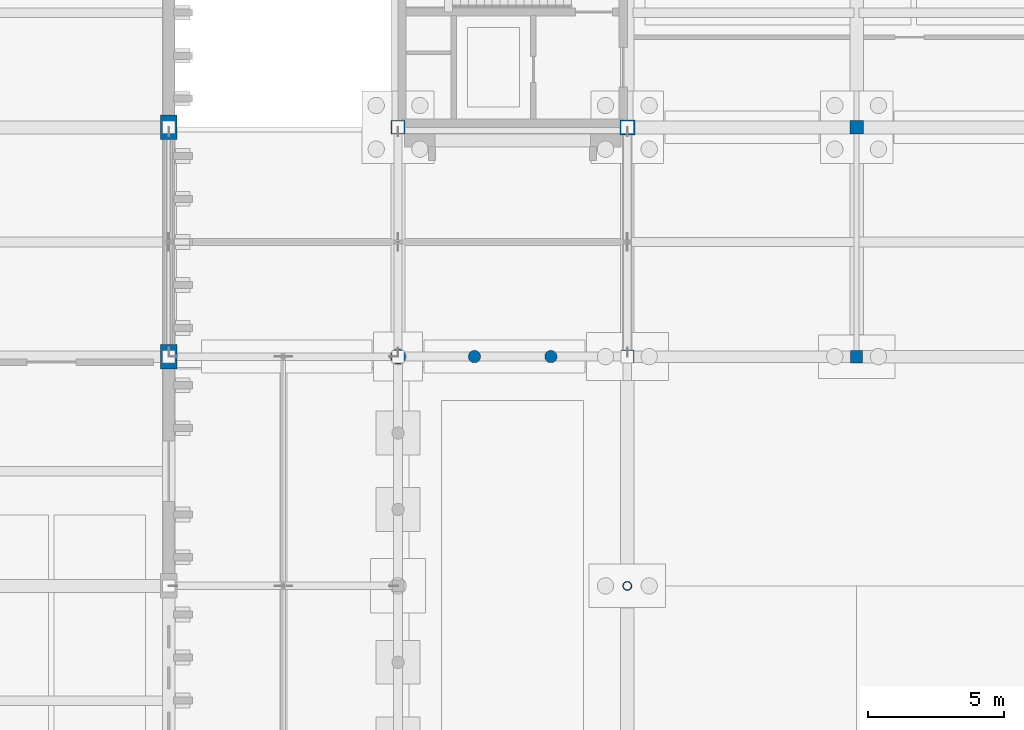
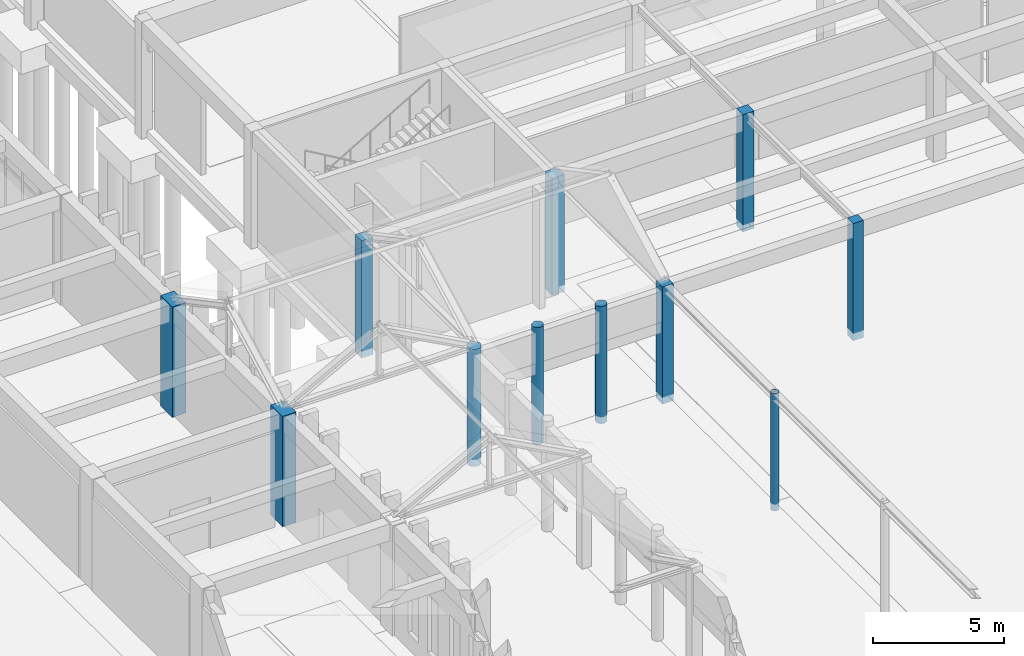
# One storey, part 16 of 143: 11 columns.
"""IFC4 building model written with IfcOpenShell, lengths in metres."""

import ifcopenshell
import ifcopenshell.guid

model = None  # the IFC model being written
_history = None  # IfcOwnerHistory: only IFC2X3 demands one
_inside = {}  # id of a spatial element -> (the spatial element, [elements in it])
_under = {}  # id of a project, library or spatial element -> (it, [spatial elements below it])
_declared = {}  # id of a project -> (the project, [libraries it declares])
_typed = {}  # id of a type object -> (the type object, [elements of that type])
_made_of = {}  # id of a material, layer set ... -> (it, [elements and type objects made of it])


def new_model(schema):
    """Start an empty IFC model of exactly this schema.

    Asked for "IFC4X3", IfcOpenShell would pick the latest addendum, in which some entities
    have other attributes; the version numbers below select the first issue.
    IFC2X3 requires an IfcOwnerHistory on every rooted entity: one is made here for all.
    """
    global model, _history
    if schema == "IFC4X3":
        model = ifcopenshell.file(schema_version=(4, 3, 0, 0))
    else:
        model = ifcopenshell.file(schema=schema)
    _inside.clear()
    _under.clear()
    _declared.clear()
    _typed.clear()
    _made_of.clear()
    _history = None
    if model.schema == "IFC2X3":
        org = make("IfcOrganization", Name="unknown")
        user = make(
            "IfcPersonAndOrganization",
            ThePerson=make("IfcPerson", FamilyName="unknown"),
            TheOrganization=org,
        )
        app = make(
            "IfcApplication",
            ApplicationDeveloper=org,
            Version="unknown",
            ApplicationFullName="unknown",
            ApplicationIdentifier="unknown",
        )
        _history = make(
            "IfcOwnerHistory",
            OwningUser=user,
            OwningApplication=app,
            ChangeAction="ADDED",
            CreationDate=0,
        )
    return model


def make(cls, **values):
    """One entity of the class cls with the attributes given. An attribute that is None is left unset."""
    return model.create_entity(
        cls, **{name: value for name, value in values.items() if value is not None}
    )


def rooted(cls, **values):
    """An entity with a GlobalId (a new one), such as an element, a storey or a relation."""
    return make(cls, GlobalId=ifcopenshell.guid.new(), OwnerHistory=_history, **values)


def si_unit(unit_type, name, prefix=None):
    """IfcSIUnit, for example si_unit("LENGTHUNIT", "METRE", prefix="MILLI")."""
    return make("IfcSIUnit", UnitType=unit_type, Prefix=prefix, Name=name)


def assignment(units):
    """IfcUnitAssignment: the units of a project."""
    return None if units is None else make("IfcUnitAssignment", Units=units)


def point(xyz):
    """IfcCartesianPoint."""
    return None if xyz is None else make("IfcCartesianPoint", Coordinates=xyz)


def direction(xyz):
    """IfcDirection."""
    return None if xyz is None else make("IfcDirection", DirectionRatios=xyz)


def frame(location, z_axis=None, x_axis=None):
    """IfcAxis2Placement3D, a coordinate frame: its origin and axes. An axis left out is left unset."""
    return make(
        "IfcAxis2Placement3D",
        Location=point(location),
        Axis=direction(z_axis),
        RefDirection=direction(x_axis),
    )


def frame_2d(location, x_axis=None):
    """IfcAxis2Placement2D, a coordinate frame in the plane: its origin and x axis."""
    return make(
        "IfcAxis2Placement2D", Location=point(location), RefDirection=direction(x_axis)
    )


def origin():
    """The frame at (0, 0, 0) with its axes left unset."""
    return frame((0.0, 0.0, 0.0))


def origin_2d():
    """The frame at (0, 0) in the plane with its x axis left unset."""
    return frame_2d((0.0, 0.0))


def place(relative_to, where):
    """IfcLocalPlacement: puts the frame where relative to a parent placement (None: the world)."""
    return make(
        "IfcLocalPlacement", PlacementRelTo=relative_to, RelativePlacement=where
    )


def context(
    kind, dimensions, precision=None, world=None, true_north=None, identifier=None
):
    """IfcGeometricRepresentationContext, for example the 3D "Model" context."""
    return make(
        "IfcGeometricRepresentationContext",
        ContextIdentifier=identifier,
        ContextType=kind,
        CoordinateSpaceDimension=dimensions,
        Precision=precision,
        WorldCoordinateSystem=world,
        TrueNorth=true_north,
    )


def subcontext(parent, identifier, kind, view, scale=None):
    """IfcGeometricRepresentationSubContext, for example "Body" below "Model"."""
    return make(
        "IfcGeometricRepresentationSubContext",
        ContextIdentifier=identifier,
        ContextType=kind,
        ParentContext=parent,
        TargetScale=scale,
        TargetView=view,
    )


def project(units=None, contexts=None):
    """IfcProject with its units and contexts."""
    return rooted(
        "IfcProject",
        Name="project",
        RepresentationContexts=contexts,
        UnitsInContext=assignment(units),
    )


def spatial(cls, under=None, at=None, **own):
    """A site, building, storey or space (cls), placed at a placement, below another one or the project."""
    s = rooted(cls, ObjectPlacement=at, **own)
    if under is not None:
        _under.setdefault(under.id(), (under, []))[1].append(s)
    return s


def profile(cls, at=None, kind="AREA", **sizes):
    """A parametric profile (cls). Its sizes go by their IFC names, for example OverallWidth=200.0."""
    return make(cls, ProfileType=kind, Position=at, **sizes)


def rectangle(**sizes):
    """IfcRectangleProfileDef."""
    return profile("IfcRectangleProfileDef", **sizes)


def circle(**sizes):
    """IfcCircleProfileDef."""
    return profile("IfcCircleProfileDef", **sizes)


def hollow_circle(**sizes):
    """IfcCircleHollowProfileDef."""
    return profile("IfcCircleHollowProfileDef", **sizes)


def extrude(swept, where, along, depth):
    """IfcExtrudedAreaSolid: the profile swept, set in the frame where, extruded along a direction by depth."""
    return make(
        "IfcExtrudedAreaSolid",
        SweptArea=swept,
        Position=where,
        ExtrudedDirection=direction(along),
        Depth=depth,
    )


def shape(context_of_items, identifier, shape_type, items):
    """IfcShapeRepresentation: the items that make up one representation, for example the "Body"."""
    return make(
        "IfcShapeRepresentation",
        ContextOfItems=context_of_items,
        RepresentationIdentifier=identifier,
        RepresentationType=shape_type,
        Items=items,
    )


def material(Name=None, Category=None):
    """IfcMaterial."""
    return make("IfcMaterial", Name=Name, Category=Category)


def material_profile(
    of_material, cross_section, Name=None, Category=None, Priority=None
):
    """IfcMaterialProfile: a cross section and its material."""
    return make(
        "IfcMaterialProfile",
        Name=Name,
        Material=of_material,
        Profile=cross_section,
        Priority=Priority,
        Category=Category,
    )


def profile_set(profiles, Name=None, composite=None):
    """IfcMaterialProfileSet."""
    return make(
        "IfcMaterialProfileSet",
        Name=Name,
        MaterialProfiles=profiles,
        CompositeProfile=composite,
    )


def made_of(thing, what):
    """Note that an element or type object is made of a material, layer set ...; save() writes the relation."""
    if what is not None:
        _made_of.setdefault(what.id(), (what, []))[1].append(thing)
    return thing


def type_object(cls, material=None, **own):
    """A type object (cls), such as IfcWallType, which elements share."""
    return made_of(rooted(cls, **own), material)


def element(
    cls,
    number,
    at=None,
    inside=None,
    cuts=None,
    type_object=None,
    material=None,
    context=None,
    identifier="Body",
    shape_type=None,
    held_by="IfcProductDefinitionShape",
    body=None,
    shapes=None,
    **own,
):
    """One element of the class cls, such as IfcWall. Its Tag is "e" and its number.

    at: its placement. inside: the storey or other place that contains it. cuts: it is an
    opening in that element (IfcRelVoidsElement). A single representation is given by context,
    identifier, shape_type and body (its items); several are given by shapes. held_by: the class
    of the entity that holds the representations. save() writes the other relations.
    """
    e = rooted(cls, Tag="e%d" % number, ObjectPlacement=at, **own)
    if body is not None:
        shapes = [shape(context, identifier, shape_type, body)]
    if shapes is not None:
        e.Representation = make(held_by, Representations=shapes)
    if inside is not None:
        _inside.setdefault(inside.id(), (inside, []))[1].append(e)
    if cuts is not None:
        rooted(
            "IfcRelVoidsElement", RelatingBuildingElement=cuts, RelatedOpeningElement=e
        )
    if type_object is not None:
        _typed.setdefault(type_object.id(), (type_object, []))[1].append(e)
    return made_of(e, material)


def aggregate(whole, parts):
    """IfcRelAggregates: a whole, such as a stair, and the parts it consists of."""
    return rooted("IfcRelAggregates", RelatingObject=whole, RelatedObjects=parts)


def save(model, path):
    """Write the relations noted so far, then the file.

    IfcRelAggregates (storeys below a building ...), IfcRelContainedInSpatialStructure (elements
    in a storey), IfcRelDefinesByType, IfcRelAssociatesMaterial and IfcRelDeclares: one each for
    every whole, place, type object, material and project.
    """
    for whole, parts in _under.values():
        aggregate(whole, parts)
    for where, things in _inside.values():
        rooted(
            "IfcRelContainedInSpatialStructure",
            RelatedElements=things,
            RelatingStructure=where,
        )
    for kind, things in _typed.values():
        rooted("IfcRelDefinesByType", RelatedObjects=things, RelatingType=kind)
    for what, things in _made_of.values():
        rooted("IfcRelAssociatesMaterial", RelatedObjects=things, RelatingMaterial=what)
    for by, libraries in _declared.values():
        rooted("IfcRelDeclares", RelatingContext=by, RelatedDefinitions=libraries)
    model.write(path)


model = new_model("IFC4")

# Units and contexts
model_context = context("Model", 3, precision=1e-05, world=origin(), true_north=direction((0.0, 1.0)))
body_context = subcontext(model_context, "Body", "Model", "MODEL_VIEW")
ifc_project = project(units=[si_unit("LENGTHUNIT", "METRE"), si_unit("AREAUNIT", "SQUARE_METRE"), si_unit("VOLUMEUNIT", "CUBIC_METRE"), si_unit("PLANEANGLEUNIT", "RADIAN"), si_unit("MASSUNIT", "GRAM", prefix="KILO")], contexts=[model_context])

# Site, building, storey
site_placement = place(None, origin())
site = spatial("IfcSite", under=ifc_project, at=site_placement, CompositionType="ELEMENT")
building_placement = place(site_placement, origin())
building = spatial("IfcBuilding", under=site, at=building_placement, Name="Kveldsbrygga Polytechnic", CompositionType="ELEMENT")
storey_placement = place(building_placement, origin())
storey = spatial("IfcBuildingStorey", under=building, at=storey_placement, Name="L00", CompositionType="ELEMENT", Elevation=0.0)

# Columns
ifc_material_1 = material(Name="Concrete C45/55", Category="concrete")
ifc_material_profile_1 = material_profile(ifc_material_1, circle(Radius=0.22509765625, at=origin_2d()), Name="RC D450")
ifc_profile_set_1 = profile_set([ifc_material_profile_1], Name="Concrete C45/55")
column_type_1 = type_object("IfcColumnType", Name="COL-ARC-D450", PredefinedType="COLUMN", material=ifc_profile_set_1)
for number, where, z_axis, x_axis, name in (
    (1, (44.800048828125, 75.60009765625, -0.320068359375), (0.0, 0.0, 1.0), (1.0, 0.0, 0.0), "Cloister Arcade Pier COL-ARC-043"),
    (2, (47.60009765625, 75.60009765625, -0.320068359375), (0.0, 0.0, 1.0), (1.0, 0.0, 0.0), "Cloister Arcade Pier COL-ARC-044"),
):
    element("IfcColumn", number, at=place(storey_placement, frame(where, z_axis=z_axis, x_axis=x_axis)), inside=storey, type_object=column_type_1, Name=name, PredefinedType="COLUMN", context=body_context, shape_type="SweptSolid", body=[
        extrude(circle(Radius=0.22509765625, at=origin_2d()), origin(), (0.0, 0.0, 1.0), 5.4599609375),
    ])
ifc_material_profile_2 = material_profile(ifc_material_1, circle(Radius=0.27490234375, at=origin_2d()), Name="RC D550")
ifc_profile_set_2 = profile_set([ifc_material_profile_2], Name="Concrete C45/55")
column_type_2 = type_object("IfcColumnType", Name="COL-ARC-D550", PredefinedType="COLUMN", material=ifc_profile_set_2)
column_1_placement = place(storey_placement, frame((42.0, 75.60009765625, -0.320068359375), z_axis=(0.0, 0.0, 1.0), x_axis=(1.0, 0.0, 0.0)))
element("IfcColumn", 3, at=column_1_placement, inside=storey, type_object=column_type_2, Name="Column COL-L00-05-09", PredefinedType="COLUMN", context=body_context, shape_type="SweptSolid", body=[
    extrude(circle(Radius=0.27490234375, at=origin_2d()), origin(), (0.0, 0.0, 1.0), 5.4599609375),
])
ifc_material_profile_3 = material_profile(ifc_material_1, rectangle(XDim=0.60009765625, YDim=0.89990234375, at=origin_2d()), Name="RC 600x900")
ifc_profile_set_3 = profile_set([ifc_material_profile_3], Name="Concrete C45/55")
column_type_3 = type_object("IfcColumnType", Name="COL-CRANE-900", PredefinedType="COLUMN", material=ifc_profile_set_3)
for number, where, z_axis, x_axis, name in (
    (4, (33.60009765625, 75.60009765625, 0.0), (0.0, 0.0, 1.0), (1.0, 0.0, 0.0), "Column COL-L00-04-09"),
    (5, (33.60009765625, 84.0, 0.0), (0.0, 0.0, 1.0), (1.0, 0.0, 0.0), "Column COL-L00-04-10"),
):
    element("IfcColumn", number, at=place(storey_placement, frame(where, z_axis=z_axis, x_axis=x_axis)), inside=storey, type_object=column_type_3, Name=name, PredefinedType="COLUMN", context=body_context, shape_type="SweptSolid", body=[
        extrude(rectangle(XDim=0.60009765625, YDim=0.89990234375, at=origin_2d()), origin(), (0.0, 0.0, 1.0), 5.139892578125),
    ])
ifc_material_profile_4 = material_profile(ifc_material_1, rectangle(XDim=0.449951171875, YDim=0.449951171875, at=origin_2d()), Name="RC 450x450")
ifc_profile_set_4 = profile_set([ifc_material_profile_4], Name="Concrete C45/55")
column_type_4 = type_object("IfcColumnType", Name="COL-RC-450", PredefinedType="COLUMN", material=ifc_profile_set_4)
column_2_placement = place(storey_placement, frame((58.800048828125, 75.60009765625, -0.320068359375), z_axis=(0.0, 0.0, 1.0), x_axis=(1.0, 0.0, 0.0)))
element("IfcColumn", 6, at=column_2_placement, inside=storey, type_object=column_type_4, Name="Column COL-L00-07-09", PredefinedType="COLUMN", context=body_context, shape_type="SweptSolid", body=[
    extrude(rectangle(XDim=0.449951171875, YDim=0.449951171875, at=origin_2d()), origin(), (0.0, 0.0, 1.0), 5.4599609375),
])
ifc_material_profile_5 = material_profile(ifc_material_1, rectangle(XDim=0.47998046875, YDim=0.47998046875, at=origin_2d()), Name="RC 480x480")
ifc_profile_set_5 = profile_set([ifc_material_profile_5], Name="Concrete C45/55")
column_type_5 = type_object("IfcColumnType", Name="COL-RC-480", PredefinedType="COLUMN", material=ifc_profile_set_5)
column_3_placement = place(storey_placement, frame((50.39990234375, 75.60009765625, -0.320068359375), z_axis=(0.0, 0.0, 1.0), x_axis=(1.0, 0.0, 0.0)))
element("IfcColumn", 7, at=column_3_placement, inside=storey, type_object=column_type_5, Name="Column COL-L00-06-09", PredefinedType="COLUMN", context=body_context, shape_type="SweptSolid", body=[
    extrude(rectangle(XDim=0.47998046875, YDim=0.47998046875, at=origin_2d()), origin(), (0.0, 0.0, 1.0), 5.4599609375),
])
ifc_material_profile_6 = material_profile(ifc_material_1, rectangle(XDim=0.5, YDim=0.5, at=origin_2d()), Name="RC 500x500")
ifc_profile_set_6 = profile_set([ifc_material_profile_6], Name="Concrete C45/55")
column_type_6 = type_object("IfcColumnType", Name="COL-RC-500", PredefinedType="COLUMN", material=ifc_profile_set_6)
for number, where, z_axis, x_axis, name in (
    (8, (42.0, 84.0, -0.320068359375), (0.0, 0.0, 1.0), (1.0, 0.0, 0.0), "Column COL-L00-05-10"),
    (9, (58.800048828125, 84.0, -0.320068359375), (0.0, 0.0, 1.0), (1.0, 0.0, 0.0), "Column COL-L00-07-10"),
):
    element("IfcColumn", number, at=place(storey_placement, frame(where, z_axis=z_axis, x_axis=x_axis)), inside=storey, type_object=column_type_6, Name=name, PredefinedType="COLUMN", context=body_context, shape_type="SweptSolid", body=[
        extrude(rectangle(XDim=0.5, YDim=0.5, at=origin_2d()), origin(), (0.0, 0.0, 1.0), 5.4599609375),
    ])
ifc_material_profile_7 = material_profile(ifc_material_1, rectangle(XDim=0.550048828125, YDim=0.550048828125, at=origin_2d()), Name="RC 550x550")
ifc_profile_set_7 = profile_set([ifc_material_profile_7], Name="Concrete C45/55")
column_type_7 = type_object("IfcColumnType", Name="COL-RC-550", PredefinedType="COLUMN", material=ifc_profile_set_7)
column_4_placement = place(storey_placement, frame((50.39990234375, 84.0, -0.320068359375), z_axis=(0.0, 0.0, 1.0), x_axis=(1.0, 0.0, 0.0)))
element("IfcColumn", 10, at=column_4_placement, inside=storey, type_object=column_type_7, Name="Column COL-L00-06-10", PredefinedType="COLUMN", context=body_context, shape_type="SweptSolid", body=[
    extrude(rectangle(XDim=0.550048828125, YDim=0.550048828125, at=origin_2d()), origin(), (0.0, 0.0, 1.0), 5.4599609375),
])
ifc_material_2 = material(Name="Steel S355", Category="steel")
ifc_material_profile_8 = material_profile(ifc_material_2, hollow_circle(Radius=0.161865234375, WallThickness=0.01611328125, at=origin_2d()), Name="CHS 323.9x16.0")
ifc_profile_set_8 = profile_set([ifc_material_profile_8], Name="Steel S355")
column_type_8 = type_object("IfcColumnType", Name="COL-STL-CHS324", PredefinedType="COLUMN", material=ifc_profile_set_8)
column_5_placement = place(storey_placement, frame((50.39990234375, 67.199951171875, -0.320068359375), z_axis=(0.0, 0.0, 1.0), x_axis=(1.0, 0.0, 0.0)))
element("IfcColumn", 11, at=column_5_placement, inside=storey, type_object=column_type_8, Name="Column COL-L00-06-08", PredefinedType="COLUMN", context=body_context, shape_type="SweptSolid", body=[
    extrude(hollow_circle(Radius=0.161865234375, WallThickness=0.01611328125, at=origin_2d()), origin(), (0.0, 0.0, 1.0), 5.4599609375),
])

save(model, "model.ifc")
